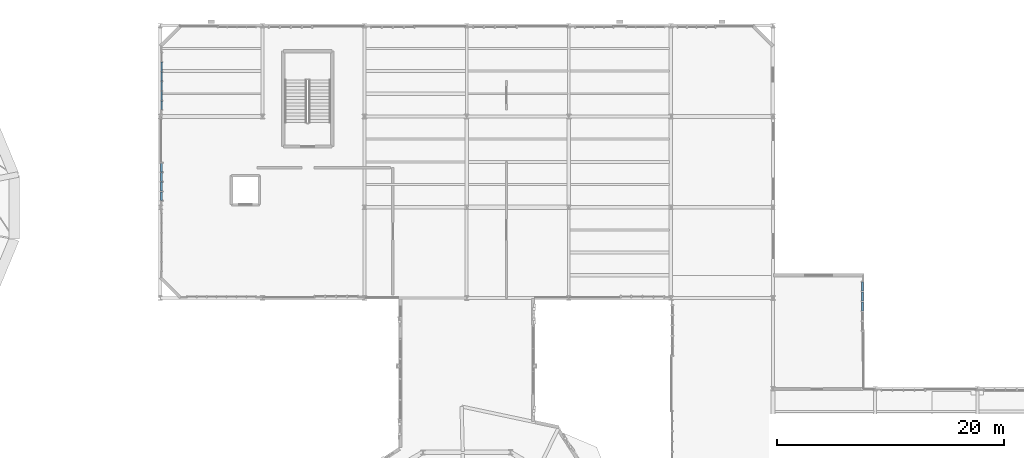
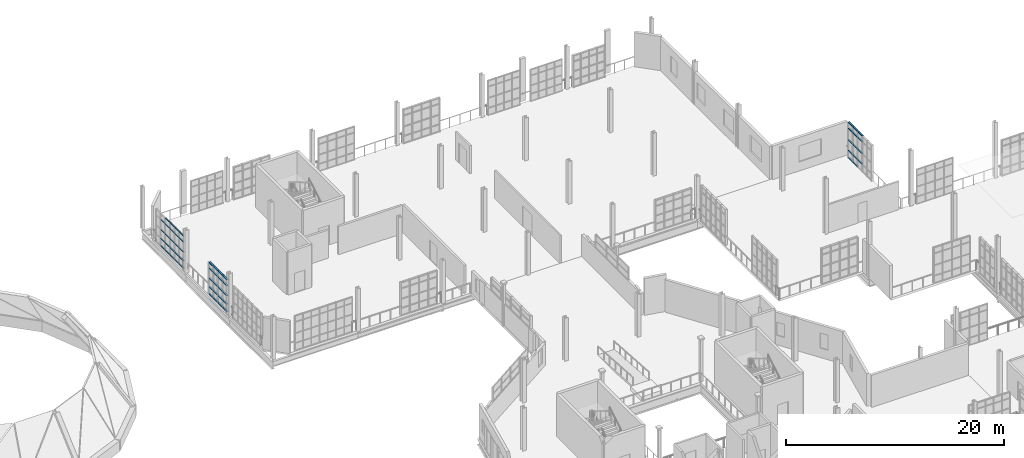
# One storey, part 83 of 118: 58 members, 3 elements without a shape of their own.
"""IFC4 building model written with IfcOpenShell, lengths in metres."""

from ifc_helpers import new_model, si_unit, direction, frame, origin, origin_2d, place, context, subcontext, project, spatial, hollow_rectangle, extrude, material, layer, layer_set, material_profile, profile_set, type_object, element, aggregate, save


model = new_model("IFC4")

# Units and contexts
model_context = context("Model", 3, precision=1e-05, world=origin(), true_north=direction((0.0, 1.0)))
body_context = subcontext(model_context, "Body", "Model", "MODEL_VIEW")
ifc_project = project(units=[si_unit("LENGTHUNIT", "METRE"), si_unit("AREAUNIT", "SQUARE_METRE"), si_unit("VOLUMEUNIT", "CUBIC_METRE"), si_unit("PLANEANGLEUNIT", "RADIAN"), si_unit("MASSUNIT", "GRAM", prefix="KILO"), si_unit("THERMODYNAMICTEMPERATUREUNIT", "KELVIN"), si_unit("POWERUNIT", "WATT")], contexts=[model_context])

# Site, building, storey
site_placement = place(None, origin())
site = spatial("IfcSite", under=ifc_project, at=site_placement, CompositionType="ELEMENT")
building_placement = place(site_placement, origin())
building = spatial("IfcBuilding", under=site, at=building_placement, Name="Zelmaris Science Centre", CompositionType="ELEMENT")
storey_placement = place(building_placement, frame((0.0, 0.0, 15.60009765625)))
storey = spatial("IfcBuildingStorey", under=building, at=storey_placement, Name="L03", CompositionType="ELEMENT", Elevation=15.60009765625)

# Curtain wall, members
ifc_material = material(Name="Anodised architectural aluminium 6063-T6", Category="aluminium")
ifc_layer_1 = layer(ifc_material, 0.2099609375, Name="Anodised architectural aluminium 6063-T6")
ifc_layer_set_1 = layer_set([ifc_layer_1], Name="Anodised architectural aluminium 6063-T6")
curtain_wall_type_1 = type_object("IfcCurtainWallType", Name="Curtain Wall CW-03", PredefinedType="USERDEFINED", material=ifc_layer_set_1)
curtain_wall_1_placement = place(storey_placement, origin())
curtain_wall_1 = element("IfcCurtainWall", 1, at=curtain_wall_1_placement, inside=storey, type_object=curtain_wall_type_1, Name="L03 Unitised curtain wall 279", ObjectType="GLAZED CURTAIN WALL", PredefinedType="USERDEFINED")
ifc_material_profile_1 = material_profile(ifc_material, hollow_rectangle(XDim=0.06494140625, YDim=0.1298828125, WallThickness=0.00341796875, at=origin_2d()), Name="ALU-TRN-65X130")
ifc_profile_set_1 = profile_set([ifc_material_profile_1], Name="Anodised architectural aluminium 6063-T6")
member_type_1 = type_object("IfcMemberType", Name="ALU-TRN-65X130", PredefinedType="USERDEFINED", material=ifc_profile_set_1)
member_1_placement = place(storey_placement, frame((54.1201171875, 80.596923828125, 0.013427734375), z_axis=(0.0, 1.0, 0.0), x_axis=(0.0, 0.0, 1.0)))
member_1 = element("IfcMember", 2, at=member_1_placement, type_object=member_type_1, Name="CW-03 transom 1.1", ObjectType="TRANSOM", PredefinedType="USERDEFINED", context=body_context, shape_type="SweptSolid", body=[
    extrude(hollow_rectangle(XDim=0.06494140625, YDim=0.1298828125, WallThickness=0.00341796875, at=origin_2d()), origin(), (0.0, 0.0, 1.0), 0.767822265625),
])
member_2_placement = place(storey_placement, frame((54.1201171875, 80.596923828125, 0.8349609375), z_axis=(0.0, 1.0, 0.0), x_axis=(0.0, 0.0, 1.0)))
member_2 = element("IfcMember", 3, at=member_2_placement, type_object=member_type_1, Name="CW-03 transom 1.2", ObjectType="TRANSOM", PredefinedType="USERDEFINED", context=body_context, shape_type="SweptSolid", body=[
    extrude(hollow_rectangle(XDim=0.06494140625, YDim=0.1298828125, WallThickness=0.00341796875, at=origin_2d()), origin(), (0.0, 0.0, 1.0), 0.767822265625),
])
member_3_placement = place(storey_placement, frame((54.1201171875, 80.596923828125, 1.8193359375), z_axis=(0.0, 1.0, 0.0), x_axis=(0.0, 0.0, 1.0)))
member_3 = element("IfcMember", 4, at=member_3_placement, type_object=member_type_1, Name="CW-03 transom 1.3", ObjectType="TRANSOM", PredefinedType="USERDEFINED", context=body_context, shape_type="SweptSolid", body=[
    extrude(hollow_rectangle(XDim=0.06494140625, YDim=0.1298828125, WallThickness=0.00341796875, at=origin_2d()), origin(), (0.0, 0.0, 1.0), 0.767822265625),
])
member_4_placement = place(storey_placement, frame((54.1201171875, 80.596923828125, 2.953857421875), z_axis=(0.0, 1.0, 0.0), x_axis=(0.0, 0.0, 1.0)))
member_4 = element("IfcMember", 5, at=member_4_placement, type_object=member_type_1, Name="CW-03 transom 1.4", ObjectType="TRANSOM", PredefinedType="USERDEFINED", context=body_context, shape_type="SweptSolid", body=[
    extrude(hollow_rectangle(XDim=0.06494140625, YDim=0.1298828125, WallThickness=0.00341796875, at=origin_2d()), origin(), (0.0, 0.0, 1.0), 0.767822265625),
])
member_5_placement = place(storey_placement, frame((54.1201171875, 80.596923828125, 3.62548828125), z_axis=(0.0, 1.0, 0.0), x_axis=(0.0, 0.0, 1.0)))
member_5 = element("IfcMember", 6, at=member_5_placement, type_object=member_type_1, Name="CW-03 transom 1.5", ObjectType="TRANSOM", PredefinedType="USERDEFINED", context=body_context, shape_type="SweptSolid", body=[
    extrude(hollow_rectangle(XDim=0.06494140625, YDim=0.1298828125, WallThickness=0.00341796875, at=origin_2d()), origin(), (0.0, 0.0, 1.0), 0.767822265625),
])
member_6_placement = place(storey_placement, frame((54.1201171875, 81.421875, 0.013427734375), z_axis=(0.0, 1.0, 0.0), x_axis=(0.0, 0.0, 1.0)))
member_6 = element("IfcMember", 7, at=member_6_placement, type_object=member_type_1, Name="CW-03 transom 2.1", ObjectType="TRANSOM", PredefinedType="USERDEFINED", context=body_context, shape_type="SweptSolid", body=[
    extrude(hollow_rectangle(XDim=0.06494140625, YDim=0.1298828125, WallThickness=0.00341796875, at=origin_2d()), origin(), (0.0, 0.0, 1.0), 0.79638671875),
])
member_7_placement = place(storey_placement, frame((54.1201171875, 81.421875, 0.8349609375), z_axis=(0.0, 1.0, 0.0), x_axis=(0.0, 0.0, 1.0)))
member_7 = element("IfcMember", 8, at=member_7_placement, type_object=member_type_1, Name="CW-03 transom 2.2", ObjectType="TRANSOM", PredefinedType="USERDEFINED", context=body_context, shape_type="SweptSolid", body=[
    extrude(hollow_rectangle(XDim=0.06494140625, YDim=0.1298828125, WallThickness=0.00341796875, at=origin_2d()), origin(), (0.0, 0.0, 1.0), 0.79638671875),
])
member_8_placement = place(storey_placement, frame((54.1201171875, 81.421875, 1.8193359375), z_axis=(0.0, 1.0, 0.0), x_axis=(0.0, 0.0, 1.0)))
member_8 = element("IfcMember", 9, at=member_8_placement, type_object=member_type_1, Name="CW-03 transom 2.3", ObjectType="TRANSOM", PredefinedType="USERDEFINED", context=body_context, shape_type="SweptSolid", body=[
    extrude(hollow_rectangle(XDim=0.06494140625, YDim=0.1298828125, WallThickness=0.00341796875, at=origin_2d()), origin(), (0.0, 0.0, 1.0), 0.79638671875),
])
member_9_placement = place(storey_placement, frame((54.1201171875, 81.421875, 2.953857421875), z_axis=(0.0, 1.0, 0.0), x_axis=(0.0, 0.0, 1.0)))
member_9 = element("IfcMember", 10, at=member_9_placement, type_object=member_type_1, Name="CW-03 transom 2.4", ObjectType="TRANSOM", PredefinedType="USERDEFINED", context=body_context, shape_type="SweptSolid", body=[
    extrude(hollow_rectangle(XDim=0.06494140625, YDim=0.1298828125, WallThickness=0.00341796875, at=origin_2d()), origin(), (0.0, 0.0, 1.0), 0.79638671875),
])
member_10_placement = place(storey_placement, frame((54.1201171875, 81.421875, 3.62548828125), z_axis=(0.0, 1.0, 0.0), x_axis=(0.0, 0.0, 1.0)))
member_10 = element("IfcMember", 11, at=member_10_placement, type_object=member_type_1, Name="CW-03 transom 2.5", ObjectType="TRANSOM", PredefinedType="USERDEFINED", context=body_context, shape_type="SweptSolid", body=[
    extrude(hollow_rectangle(XDim=0.06494140625, YDim=0.1298828125, WallThickness=0.00341796875, at=origin_2d()), origin(), (0.0, 0.0, 1.0), 0.79638671875),
])
member_11_placement = place(storey_placement, frame((54.1201171875, 82.275146484375, 0.013427734375), z_axis=(0.0, 1.0, 0.0), x_axis=(0.0, 0.0, 1.0)))
member_11 = element("IfcMember", 12, at=member_11_placement, type_object=member_type_1, Name="CW-03 transom 3.1", ObjectType="TRANSOM", PredefinedType="USERDEFINED", context=body_context, shape_type="SweptSolid", body=[
    extrude(hollow_rectangle(XDim=0.06494140625, YDim=0.1298828125, WallThickness=0.00341796875, at=origin_2d()), origin(), (0.0, 0.0, 1.0), 0.79638671875),
])
member_12_placement = place(storey_placement, frame((54.1201171875, 82.275146484375, 0.8349609375), z_axis=(0.0, 1.0, 0.0), x_axis=(0.0, 0.0, 1.0)))
member_12 = element("IfcMember", 13, at=member_12_placement, type_object=member_type_1, Name="CW-03 transom 3.2", ObjectType="TRANSOM", PredefinedType="USERDEFINED", context=body_context, shape_type="SweptSolid", body=[
    extrude(hollow_rectangle(XDim=0.06494140625, YDim=0.1298828125, WallThickness=0.00341796875, at=origin_2d()), origin(), (0.0, 0.0, 1.0), 0.79638671875),
])
member_13_placement = place(storey_placement, frame((54.1201171875, 82.275146484375, 1.8193359375), z_axis=(0.0, 1.0, 0.0), x_axis=(0.0, 0.0, 1.0)))
member_13 = element("IfcMember", 14, at=member_13_placement, type_object=member_type_1, Name="CW-03 transom 3.3", ObjectType="TRANSOM", PredefinedType="USERDEFINED", context=body_context, shape_type="SweptSolid", body=[
    extrude(hollow_rectangle(XDim=0.06494140625, YDim=0.1298828125, WallThickness=0.00341796875, at=origin_2d()), origin(), (0.0, 0.0, 1.0), 0.79638671875),
])
member_14_placement = place(storey_placement, frame((54.1201171875, 82.275146484375, 2.953857421875), z_axis=(0.0, 1.0, 0.0), x_axis=(0.0, 0.0, 1.0)))
member_14 = element("IfcMember", 15, at=member_14_placement, type_object=member_type_1, Name="CW-03 transom 3.4", ObjectType="TRANSOM", PredefinedType="USERDEFINED", context=body_context, shape_type="SweptSolid", body=[
    extrude(hollow_rectangle(XDim=0.06494140625, YDim=0.1298828125, WallThickness=0.00341796875, at=origin_2d()), origin(), (0.0, 0.0, 1.0), 0.79638671875),
])
member_15_placement = place(storey_placement, frame((54.1201171875, 82.275146484375, 3.62548828125), z_axis=(0.0, 1.0, 0.0), x_axis=(0.0, 0.0, 1.0)))
member_15 = element("IfcMember", 16, at=member_15_placement, type_object=member_type_1, Name="CW-03 transom 3.5", ObjectType="TRANSOM", PredefinedType="USERDEFINED", context=body_context, shape_type="SweptSolid", body=[
    extrude(hollow_rectangle(XDim=0.06494140625, YDim=0.1298828125, WallThickness=0.00341796875, at=origin_2d()), origin(), (0.0, 0.0, 1.0), 0.79638671875),
])
member_16_placement = place(storey_placement, frame((54.1201171875, 83.12841796875, 0.013427734375), z_axis=(0.0, 1.0, 0.0), x_axis=(0.0, 0.0, 1.0)))
member_16 = element("IfcMember", 17, at=member_16_placement, type_object=member_type_1, Name="CW-03 transom 4.1", ObjectType="TRANSOM", PredefinedType="USERDEFINED", context=body_context, shape_type="SweptSolid", body=[
    extrude(hollow_rectangle(XDim=0.06494140625, YDim=0.1298828125, WallThickness=0.00341796875, at=origin_2d()), origin(), (0.0, 0.0, 1.0), 0.79638671875),
])
member_17_placement = place(storey_placement, frame((54.1201171875, 83.12841796875, 0.8349609375), z_axis=(0.0, 1.0, 0.0), x_axis=(0.0, 0.0, 1.0)))
member_17 = element("IfcMember", 18, at=member_17_placement, type_object=member_type_1, Name="CW-03 transom 4.2", ObjectType="TRANSOM", PredefinedType="USERDEFINED", context=body_context, shape_type="SweptSolid", body=[
    extrude(hollow_rectangle(XDim=0.06494140625, YDim=0.1298828125, WallThickness=0.00341796875, at=origin_2d()), origin(), (0.0, 0.0, 1.0), 0.79638671875),
])
member_18_placement = place(storey_placement, frame((54.1201171875, 83.12841796875, 1.8193359375), z_axis=(0.0, 1.0, 0.0), x_axis=(0.0, 0.0, 1.0)))
member_18 = element("IfcMember", 19, at=member_18_placement, type_object=member_type_1, Name="CW-03 transom 4.3", ObjectType="TRANSOM", PredefinedType="USERDEFINED", context=body_context, shape_type="SweptSolid", body=[
    extrude(hollow_rectangle(XDim=0.06494140625, YDim=0.1298828125, WallThickness=0.00341796875, at=origin_2d()), origin(), (0.0, 0.0, 1.0), 0.79638671875),
])
member_19_placement = place(storey_placement, frame((54.1201171875, 83.12841796875, 2.953857421875), z_axis=(0.0, 1.0, 0.0), x_axis=(0.0, 0.0, 1.0)))
member_19 = element("IfcMember", 20, at=member_19_placement, type_object=member_type_1, Name="CW-03 transom 4.4", ObjectType="TRANSOM", PredefinedType="USERDEFINED", context=body_context, shape_type="SweptSolid", body=[
    extrude(hollow_rectangle(XDim=0.06494140625, YDim=0.1298828125, WallThickness=0.00341796875, at=origin_2d()), origin(), (0.0, 0.0, 1.0), 0.79638671875),
])
member_20_placement = place(storey_placement, frame((54.1201171875, 83.12841796875, 3.62548828125), z_axis=(0.0, 1.0, 0.0), x_axis=(0.0, 0.0, 1.0)))
member_20 = element("IfcMember", 21, at=member_20_placement, type_object=member_type_1, Name="CW-03 transom 4.5", ObjectType="TRANSOM", PredefinedType="USERDEFINED", context=body_context, shape_type="SweptSolid", body=[
    extrude(hollow_rectangle(XDim=0.06494140625, YDim=0.1298828125, WallThickness=0.00341796875, at=origin_2d()), origin(), (0.0, 0.0, 1.0), 0.79638671875),
])
member_21_placement = place(storey_placement, frame((54.1201171875, 83.98193359375, 0.013427734375), z_axis=(0.0, 1.0, 0.0), x_axis=(0.0, 0.0, 1.0)))
member_21 = element("IfcMember", 22, at=member_21_placement, type_object=member_type_1, Name="CW-03 transom 5.1", ObjectType="TRANSOM", PredefinedType="USERDEFINED", context=body_context, shape_type="SweptSolid", body=[
    extrude(hollow_rectangle(XDim=0.06494140625, YDim=0.1298828125, WallThickness=0.00341796875, at=origin_2d()), origin(), (0.0, 0.0, 1.0), 0.796142578125),
])
member_22_placement = place(storey_placement, frame((54.1201171875, 83.98193359375, 0.8349609375), z_axis=(0.0, 1.0, 0.0), x_axis=(0.0, 0.0, 1.0)))
member_22 = element("IfcMember", 23, at=member_22_placement, type_object=member_type_1, Name="CW-03 transom 5.2", ObjectType="TRANSOM", PredefinedType="USERDEFINED", context=body_context, shape_type="SweptSolid", body=[
    extrude(hollow_rectangle(XDim=0.06494140625, YDim=0.1298828125, WallThickness=0.00341796875, at=origin_2d()), origin(), (0.0, 0.0, 1.0), 0.796142578125),
])
member_23_placement = place(storey_placement, frame((54.1201171875, 83.98193359375, 1.8193359375), z_axis=(0.0, 1.0, 0.0), x_axis=(0.0, 0.0, 1.0)))
member_23 = element("IfcMember", 24, at=member_23_placement, type_object=member_type_1, Name="CW-03 transom 5.3", ObjectType="TRANSOM", PredefinedType="USERDEFINED", context=body_context, shape_type="SweptSolid", body=[
    extrude(hollow_rectangle(XDim=0.06494140625, YDim=0.1298828125, WallThickness=0.00341796875, at=origin_2d()), origin(), (0.0, 0.0, 1.0), 0.796142578125),
])
member_24_placement = place(storey_placement, frame((54.1201171875, 83.98193359375, 2.953857421875), z_axis=(0.0, 1.0, 0.0), x_axis=(0.0, 0.0, 1.0)))
member_24 = element("IfcMember", 25, at=member_24_placement, type_object=member_type_1, Name="CW-03 transom 5.4", ObjectType="TRANSOM", PredefinedType="USERDEFINED", context=body_context, shape_type="SweptSolid", body=[
    extrude(hollow_rectangle(XDim=0.06494140625, YDim=0.1298828125, WallThickness=0.00341796875, at=origin_2d()), origin(), (0.0, 0.0, 1.0), 0.796142578125),
])
aggregate(curtain_wall_1, [member_1, member_2, member_3, member_4, member_5, member_6, member_7, member_8, member_9, member_10, member_11, member_12, member_13, member_14, member_15, member_16, member_17, member_18, member_19, member_20, member_21, member_22, member_23, member_24])

ifc_layer_2 = layer(ifc_material, 0.199951171875, Name="Anodised architectural aluminium 6063-T6")
ifc_layer_set_2 = layer_set([ifc_layer_2], Name="Anodised architectural aluminium 6063-T6")
curtain_wall_type_2 = type_object("IfcCurtainWallType", Name="Curtain Wall CW-02", PredefinedType="USERDEFINED", material=ifc_layer_set_2)
curtain_wall_2_placement = place(storey_placement, origin())
curtain_wall_2 = element("IfcCurtainWall", 26, at=curtain_wall_2_placement, inside=storey, type_object=curtain_wall_type_2, Name="L03 Unitised curtain wall 290", ObjectType="GLAZED CURTAIN WALL", PredefinedType="USERDEFINED")
ifc_material_profile_2 = material_profile(ifc_material, hollow_rectangle(XDim=0.074951171875, YDim=0.159912109375, WallThickness=0.00390625, at=origin_2d()), Name="ALU-TRN-75X160")
ifc_profile_set_2 = profile_set([ifc_material_profile_2], Name="Anodised architectural aluminium 6063-T6")
member_type_2 = type_object("IfcMemberType", Name="ALU-TRN-75X160", PredefinedType="USERDEFINED", material=ifc_profile_set_2)
member_25_placement = place(storey_placement, frame((115.880859375, 65.392578125, 0.018310546875), z_axis=(0.001256675099, -0.999999210384, 0.0), x_axis=(0.0, 0.0, 1.0)))
member_25 = element("IfcMember", 27, at=member_25_placement, type_object=member_type_2, Name="CW-02 transom 1.1", ObjectType="TRANSOM", PredefinedType="USERDEFINED", context=body_context, shape_type="SweptSolid", body=[
    extrude(hollow_rectangle(XDim=0.074951171875, YDim=0.159912109375, WallThickness=0.00390625, at=origin_2d()), origin(), (0.0, 0.0, 1.0), 0.777099609375),
])
member_26_placement = place(storey_placement, frame((115.880859375, 65.392578125, 0.8349609375), z_axis=(0.001256675099, -0.999999210384, 0.0), x_axis=(0.0, 0.0, 1.0)))
member_26 = element("IfcMember", 28, at=member_26_placement, type_object=member_type_2, Name="CW-02 transom 1.2", ObjectType="TRANSOM", PredefinedType="USERDEFINED", context=body_context, shape_type="SweptSolid", body=[
    extrude(hollow_rectangle(XDim=0.074951171875, YDim=0.159912109375, WallThickness=0.00390625, at=origin_2d()), origin(), (0.0, 0.0, 1.0), 0.777099609375),
])
member_27_placement = place(storey_placement, frame((115.880859375, 65.392578125, 2.00732421875), z_axis=(0.001256675099, -0.999999210384, 0.0), x_axis=(0.0, 0.0, 1.0)))
member_27 = element("IfcMember", 29, at=member_27_placement, type_object=member_type_2, Name="CW-02 transom 1.3", ObjectType="TRANSOM", PredefinedType="USERDEFINED", context=body_context, shape_type="SweptSolid", body=[
    extrude(hollow_rectangle(XDim=0.074951171875, YDim=0.159912109375, WallThickness=0.00390625, at=origin_2d()), origin(), (0.0, 0.0, 1.0), 0.777099609375),
])
member_28_placement = place(storey_placement, frame((115.880859375, 65.392578125, 3.329833984375), z_axis=(0.001256675099, -0.999999210384, 0.0), x_axis=(0.0, 0.0, 1.0)))
member_28 = element("IfcMember", 30, at=member_28_placement, type_object=member_type_2, Name="CW-02 transom 1.4", ObjectType="TRANSOM", PredefinedType="USERDEFINED", context=body_context, shape_type="SweptSolid", body=[
    extrude(hollow_rectangle(XDim=0.074951171875, YDim=0.159912109375, WallThickness=0.00390625, at=origin_2d()), origin(), (0.0, 0.0, 1.0), 0.777099609375),
])
member_29_placement = place(storey_placement, frame((115.880859375, 65.392578125, 3.996337890625), z_axis=(0.001256675099, -0.999999210384, 0.0), x_axis=(0.0, 0.0, 1.0)))
member_29 = element("IfcMember", 31, at=member_29_placement, type_object=member_type_2, Name="CW-02 transom 1.5", ObjectType="TRANSOM", PredefinedType="USERDEFINED", context=body_context, shape_type="SweptSolid", body=[
    extrude(hollow_rectangle(XDim=0.074951171875, YDim=0.159912109375, WallThickness=0.00390625, at=origin_2d()), origin(), (0.0, 0.0, 1.0), 0.777099609375),
])
member_30_placement = place(storey_placement, frame((115.8818359375, 64.54833984375, 0.018310546875), z_axis=(0.001505568905, -0.99999886663, 0.0), x_axis=(0.0, 0.0, 1.0)))
member_30 = element("IfcMember", 32, at=member_30_placement, type_object=member_type_2, Name="CW-02 transom 2.1", ObjectType="TRANSOM", PredefinedType="USERDEFINED", context=body_context, shape_type="SweptSolid", body=[
    extrude(hollow_rectangle(XDim=0.074951171875, YDim=0.159912109375, WallThickness=0.00390625, at=origin_2d()), origin(), (0.0, 0.0, 1.0), 0.810791015625),
])
member_31_placement = place(storey_placement, frame((115.8818359375, 64.54833984375, 0.8349609375), z_axis=(0.001505568905, -0.99999886663, 0.0), x_axis=(0.0, 0.0, 1.0)))
member_31 = element("IfcMember", 33, at=member_31_placement, type_object=member_type_2, Name="CW-02 transom 2.2", ObjectType="TRANSOM", PredefinedType="USERDEFINED", context=body_context, shape_type="SweptSolid", body=[
    extrude(hollow_rectangle(XDim=0.074951171875, YDim=0.159912109375, WallThickness=0.00390625, at=origin_2d()), origin(), (0.0, 0.0, 1.0), 0.810791015625),
])
member_32_placement = place(storey_placement, frame((115.8818359375, 64.54833984375, 2.00732421875), z_axis=(0.001505568905, -0.99999886663, 0.0), x_axis=(0.0, 0.0, 1.0)))
member_32 = element("IfcMember", 34, at=member_32_placement, type_object=member_type_2, Name="CW-02 transom 2.3", ObjectType="TRANSOM", PredefinedType="USERDEFINED", context=body_context, shape_type="SweptSolid", body=[
    extrude(hollow_rectangle(XDim=0.074951171875, YDim=0.159912109375, WallThickness=0.00390625, at=origin_2d()), origin(), (0.0, 0.0, 1.0), 0.810791015625),
])
member_33_placement = place(storey_placement, frame((115.8818359375, 64.54833984375, 3.329833984375), z_axis=(0.001505568905, -0.99999886663, 0.0), x_axis=(0.0, 0.0, 1.0)))
member_33 = element("IfcMember", 35, at=member_33_placement, type_object=member_type_2, Name="CW-02 transom 2.4", ObjectType="TRANSOM", PredefinedType="USERDEFINED", context=body_context, shape_type="SweptSolid", body=[
    extrude(hollow_rectangle(XDim=0.074951171875, YDim=0.159912109375, WallThickness=0.00390625, at=origin_2d()), origin(), (0.0, 0.0, 1.0), 0.810791015625),
])
member_34_placement = place(storey_placement, frame((115.8818359375, 64.54833984375, 3.996337890625), z_axis=(0.001505568905, -0.99999886663, 0.0), x_axis=(0.0, 0.0, 1.0)))
member_34 = element("IfcMember", 36, at=member_34_placement, type_object=member_type_2, Name="CW-02 transom 2.5", ObjectType="TRANSOM", PredefinedType="USERDEFINED", context=body_context, shape_type="SweptSolid", body=[
    extrude(hollow_rectangle(XDim=0.074951171875, YDim=0.159912109375, WallThickness=0.00390625, at=origin_2d()), origin(), (0.0, 0.0, 1.0), 0.810791015625),
])
member_35_placement = place(storey_placement, frame((115.883056640625, 63.670654296875, 0.8349609375), z_axis=(0.001505568905, -0.99999886663, 0.0), x_axis=(0.0, 0.0, 1.0)))
member_35 = element("IfcMember", 37, at=member_35_placement, type_object=member_type_2, Name="CW-02 transom 3.2", ObjectType="TRANSOM", PredefinedType="USERDEFINED", context=body_context, shape_type="SweptSolid", body=[
    extrude(hollow_rectangle(XDim=0.074951171875, YDim=0.159912109375, WallThickness=0.00390625, at=origin_2d()), origin(), (0.0, 0.0, 1.0), 0.810791015625),
])
member_36_placement = place(storey_placement, frame((115.883056640625, 63.670654296875, 2.00732421875), z_axis=(0.001505568905, -0.99999886663, 0.0), x_axis=(0.0, 0.0, 1.0)))
member_36 = element("IfcMember", 38, at=member_36_placement, type_object=member_type_2, Name="CW-02 transom 3.3", ObjectType="TRANSOM", PredefinedType="USERDEFINED", context=body_context, shape_type="SweptSolid", body=[
    extrude(hollow_rectangle(XDim=0.074951171875, YDim=0.159912109375, WallThickness=0.00390625, at=origin_2d()), origin(), (0.0, 0.0, 1.0), 0.810791015625),
])
member_37_placement = place(storey_placement, frame((115.883056640625, 63.670654296875, 3.329833984375), z_axis=(0.001505568905, -0.99999886663, 0.0), x_axis=(0.0, 0.0, 1.0)))
member_37 = element("IfcMember", 39, at=member_37_placement, type_object=member_type_2, Name="CW-02 transom 3.4", ObjectType="TRANSOM", PredefinedType="USERDEFINED", context=body_context, shape_type="SweptSolid", body=[
    extrude(hollow_rectangle(XDim=0.074951171875, YDim=0.159912109375, WallThickness=0.00390625, at=origin_2d()), origin(), (0.0, 0.0, 1.0), 0.810791015625),
])
member_38_placement = place(storey_placement, frame((115.883056640625, 63.670654296875, 3.996337890625), z_axis=(0.001505568905, -0.99999886663, 0.0), x_axis=(0.0, 0.0, 1.0)))
member_38 = element("IfcMember", 40, at=member_38_placement, type_object=member_type_2, Name="CW-02 transom 3.5", ObjectType="TRANSOM", PredefinedType="USERDEFINED", context=body_context, shape_type="SweptSolid", body=[
    extrude(hollow_rectangle(XDim=0.074951171875, YDim=0.159912109375, WallThickness=0.00390625, at=origin_2d()), origin(), (0.0, 0.0, 1.0), 0.810791015625),
])
aggregate(curtain_wall_2, [member_25, member_26, member_27, member_28, member_29, member_30, member_31, member_32, member_33, member_34, member_35, member_36, member_37, member_38])

ifc_layer_3 = layer(ifc_material, 0.18994140625, Name="Anodised architectural aluminium 6063-T6")
ifc_layer_set_3 = layer_set([ifc_layer_3], Name="Anodised architectural aluminium 6063-T6")
curtain_wall_type_3 = type_object("IfcCurtainWallType", Name="Curtain Wall CW-01", PredefinedType="USERDEFINED", material=ifc_layer_set_3)
curtain_wall_3_placement = place(storey_placement, origin())
curtain_wall_3 = element("IfcCurtainWall", 41, at=curtain_wall_3_placement, inside=storey, type_object=curtain_wall_type_3, Name="L03 Unitised curtain wall 277", ObjectType="GLAZED CURTAIN WALL", PredefinedType="USERDEFINED")
ifc_material_profile_3 = material_profile(ifc_material, hollow_rectangle(XDim=0.080078125, YDim=0.18994140625, WallThickness=0.00439453125, at=origin_2d()), Name="ALU-TRN-80X190")
ifc_profile_set_3 = profile_set([ifc_material_profile_3], Name="Anodised architectural aluminium 6063-T6")
member_type_3 = type_object("IfcMemberType", Name="ALU-TRN-80X190", PredefinedType="USERDEFINED", material=ifc_profile_set_3)
member_39_placement = place(storey_placement, frame((54.1201171875, 72.612060546875, 0.02099609375), z_axis=(0.0, 1.0, 0.0), x_axis=(0.0, 0.0, 1.0)))
member_39 = element("IfcMember", 42, at=member_39_placement, type_object=member_type_3, Name="CW-01 transom 1.1", ObjectType="TRANSOM", PredefinedType="USERDEFINED", context=body_context, shape_type="SweptSolid", body=[
    extrude(hollow_rectangle(XDim=0.080078125, YDim=0.18994140625, WallThickness=0.00439453125, at=origin_2d()), origin(), (0.0, 0.0, 1.0), 0.741943359375),
])
member_40_placement = place(storey_placement, frame((54.1201171875, 72.612060546875, 0.8349609375), z_axis=(0.0, 1.0, 0.0), x_axis=(0.0, 0.0, 1.0)))
member_40 = element("IfcMember", 43, at=member_40_placement, type_object=member_type_3, Name="CW-01 transom 1.2", ObjectType="TRANSOM", PredefinedType="USERDEFINED", context=body_context, shape_type="SweptSolid", body=[
    extrude(hollow_rectangle(XDim=0.080078125, YDim=0.18994140625, WallThickness=0.00439453125, at=origin_2d()), origin(), (0.0, 0.0, 1.0), 0.741943359375),
])
member_41_placement = place(storey_placement, frame((54.1201171875, 72.612060546875, 1.7939453125), z_axis=(0.0, 1.0, 0.0), x_axis=(0.0, 0.0, 1.0)))
member_41 = element("IfcMember", 44, at=member_41_placement, type_object=member_type_3, Name="CW-01 transom 1.3", ObjectType="TRANSOM", PredefinedType="USERDEFINED", context=body_context, shape_type="SweptSolid", body=[
    extrude(hollow_rectangle(XDim=0.080078125, YDim=0.18994140625, WallThickness=0.00439453125, at=origin_2d()), origin(), (0.0, 0.0, 1.0), 0.741943359375),
])
member_42_placement = place(storey_placement, frame((54.1201171875, 72.612060546875, 2.90283203125), z_axis=(0.0, 1.0, 0.0), x_axis=(0.0, 0.0, 1.0)))
member_42 = element("IfcMember", 45, at=member_42_placement, type_object=member_type_3, Name="CW-01 transom 1.4", ObjectType="TRANSOM", PredefinedType="USERDEFINED", context=body_context, shape_type="SweptSolid", body=[
    extrude(hollow_rectangle(XDim=0.080078125, YDim=0.18994140625, WallThickness=0.00439453125, at=origin_2d()), origin(), (0.0, 0.0, 1.0), 0.741943359375),
])
member_43_placement = place(storey_placement, frame((54.1201171875, 72.612060546875, 3.56689453125), z_axis=(0.0, 1.0, 0.0), x_axis=(0.0, 0.0, 1.0)))
member_43 = element("IfcMember", 46, at=member_43_placement, type_object=member_type_3, Name="CW-01 transom 1.5", ObjectType="TRANSOM", PredefinedType="USERDEFINED", context=body_context, shape_type="SweptSolid", body=[
    extrude(hollow_rectangle(XDim=0.080078125, YDim=0.18994140625, WallThickness=0.00439453125, at=origin_2d()), origin(), (0.0, 0.0, 1.0), 0.741943359375),
])
member_44_placement = place(storey_placement, frame((54.1201171875, 73.426025390625, 0.02099609375), z_axis=(0.0, 1.0, 0.0), x_axis=(0.0, 0.0, 1.0)))
member_44 = element("IfcMember", 47, at=member_44_placement, type_object=member_type_3, Name="CW-01 transom 2.1", ObjectType="TRANSOM", PredefinedType="USERDEFINED", context=body_context, shape_type="SweptSolid", body=[
    extrude(hollow_rectangle(XDim=0.080078125, YDim=0.18994140625, WallThickness=0.00439453125, at=origin_2d()), origin(), (0.0, 0.0, 1.0), 0.778076171875),
])
member_45_placement = place(storey_placement, frame((54.1201171875, 73.426025390625, 0.8349609375), z_axis=(0.0, 1.0, 0.0), x_axis=(0.0, 0.0, 1.0)))
member_45 = element("IfcMember", 48, at=member_45_placement, type_object=member_type_3, Name="CW-01 transom 2.2", ObjectType="TRANSOM", PredefinedType="USERDEFINED", context=body_context, shape_type="SweptSolid", body=[
    extrude(hollow_rectangle(XDim=0.080078125, YDim=0.18994140625, WallThickness=0.00439453125, at=origin_2d()), origin(), (0.0, 0.0, 1.0), 0.778076171875),
])
member_46_placement = place(storey_placement, frame((54.1201171875, 73.426025390625, 1.7939453125), z_axis=(0.0, 1.0, 0.0), x_axis=(0.0, 0.0, 1.0)))
member_46 = element("IfcMember", 49, at=member_46_placement, type_object=member_type_3, Name="CW-01 transom 2.3", ObjectType="TRANSOM", PredefinedType="USERDEFINED", context=body_context, shape_type="SweptSolid", body=[
    extrude(hollow_rectangle(XDim=0.080078125, YDim=0.18994140625, WallThickness=0.00439453125, at=origin_2d()), origin(), (0.0, 0.0, 1.0), 0.778076171875),
])
member_47_placement = place(storey_placement, frame((54.1201171875, 73.426025390625, 2.90283203125), z_axis=(0.0, 1.0, 0.0), x_axis=(0.0, 0.0, 1.0)))
member_47 = element("IfcMember", 50, at=member_47_placement, type_object=member_type_3, Name="CW-01 transom 2.4", ObjectType="TRANSOM", PredefinedType="USERDEFINED", context=body_context, shape_type="SweptSolid", body=[
    extrude(hollow_rectangle(XDim=0.080078125, YDim=0.18994140625, WallThickness=0.00439453125, at=origin_2d()), origin(), (0.0, 0.0, 1.0), 0.778076171875),
])
member_48_placement = place(storey_placement, frame((54.1201171875, 73.426025390625, 3.56689453125), z_axis=(0.0, 1.0, 0.0), x_axis=(0.0, 0.0, 1.0)))
member_48 = element("IfcMember", 51, at=member_48_placement, type_object=member_type_3, Name="CW-01 transom 2.5", ObjectType="TRANSOM", PredefinedType="USERDEFINED", context=body_context, shape_type="SweptSolid", body=[
    extrude(hollow_rectangle(XDim=0.080078125, YDim=0.18994140625, WallThickness=0.00439453125, at=origin_2d()), origin(), (0.0, 0.0, 1.0), 0.778076171875),
])
member_49_placement = place(storey_placement, frame((54.1201171875, 74.27587890625, 0.02099609375), z_axis=(0.0, 1.0, 0.0), x_axis=(0.0, 0.0, 1.0)))
member_49 = element("IfcMember", 52, at=member_49_placement, type_object=member_type_3, Name="CW-01 transom 3.1", ObjectType="TRANSOM", PredefinedType="USERDEFINED", context=body_context, shape_type="SweptSolid", body=[
    extrude(hollow_rectangle(XDim=0.080078125, YDim=0.18994140625, WallThickness=0.00439453125, at=origin_2d()), origin(), (0.0, 0.0, 1.0), 0.778076171875),
])
member_50_placement = place(storey_placement, frame((54.1201171875, 74.27587890625, 0.8349609375), z_axis=(0.0, 1.0, 0.0), x_axis=(0.0, 0.0, 1.0)))
member_50 = element("IfcMember", 53, at=member_50_placement, type_object=member_type_3, Name="CW-01 transom 3.2", ObjectType="TRANSOM", PredefinedType="USERDEFINED", context=body_context, shape_type="SweptSolid", body=[
    extrude(hollow_rectangle(XDim=0.080078125, YDim=0.18994140625, WallThickness=0.00439453125, at=origin_2d()), origin(), (0.0, 0.0, 1.0), 0.778076171875),
])
member_51_placement = place(storey_placement, frame((54.1201171875, 74.27587890625, 1.7939453125), z_axis=(0.0, 1.0, 0.0), x_axis=(0.0, 0.0, 1.0)))
member_51 = element("IfcMember", 54, at=member_51_placement, type_object=member_type_3, Name="CW-01 transom 3.3", ObjectType="TRANSOM", PredefinedType="USERDEFINED", context=body_context, shape_type="SweptSolid", body=[
    extrude(hollow_rectangle(XDim=0.080078125, YDim=0.18994140625, WallThickness=0.00439453125, at=origin_2d()), origin(), (0.0, 0.0, 1.0), 0.778076171875),
])
member_52_placement = place(storey_placement, frame((54.1201171875, 74.27587890625, 2.90283203125), z_axis=(0.0, 1.0, 0.0), x_axis=(0.0, 0.0, 1.0)))
member_52 = element("IfcMember", 55, at=member_52_placement, type_object=member_type_3, Name="CW-01 transom 3.4", ObjectType="TRANSOM", PredefinedType="USERDEFINED", context=body_context, shape_type="SweptSolid", body=[
    extrude(hollow_rectangle(XDim=0.080078125, YDim=0.18994140625, WallThickness=0.00439453125, at=origin_2d()), origin(), (0.0, 0.0, 1.0), 0.778076171875),
])
member_53_placement = place(storey_placement, frame((54.1201171875, 74.27587890625, 3.56689453125), z_axis=(0.0, 1.0, 0.0), x_axis=(0.0, 0.0, 1.0)))
member_53 = element("IfcMember", 56, at=member_53_placement, type_object=member_type_3, Name="CW-01 transom 3.5", ObjectType="TRANSOM", PredefinedType="USERDEFINED", context=body_context, shape_type="SweptSolid", body=[
    extrude(hollow_rectangle(XDim=0.080078125, YDim=0.18994140625, WallThickness=0.00439453125, at=origin_2d()), origin(), (0.0, 0.0, 1.0), 0.778076171875),
])
member_54_placement = place(storey_placement, frame((54.1201171875, 75.1259765625, 0.02099609375), z_axis=(0.0, 1.0, 0.0), x_axis=(0.0, 0.0, 1.0)))
member_54 = element("IfcMember", 57, at=member_54_placement, type_object=member_type_3, Name="CW-01 transom 4.1", ObjectType="TRANSOM", PredefinedType="USERDEFINED", context=body_context, shape_type="SweptSolid", body=[
    extrude(hollow_rectangle(XDim=0.080078125, YDim=0.18994140625, WallThickness=0.00439453125, at=origin_2d()), origin(), (0.0, 0.0, 1.0), 0.741943359375),
])
member_55_placement = place(storey_placement, frame((54.1201171875, 75.1259765625, 0.8349609375), z_axis=(0.0, 1.0, 0.0), x_axis=(0.0, 0.0, 1.0)))
member_55 = element("IfcMember", 58, at=member_55_placement, type_object=member_type_3, Name="CW-01 transom 4.2", ObjectType="TRANSOM", PredefinedType="USERDEFINED", context=body_context, shape_type="SweptSolid", body=[
    extrude(hollow_rectangle(XDim=0.080078125, YDim=0.18994140625, WallThickness=0.00439453125, at=origin_2d()), origin(), (0.0, 0.0, 1.0), 0.741943359375),
])
member_56_placement = place(storey_placement, frame((54.1201171875, 75.1259765625, 1.7939453125), z_axis=(0.0, 1.0, 0.0), x_axis=(0.0, 0.0, 1.0)))
member_56 = element("IfcMember", 59, at=member_56_placement, type_object=member_type_3, Name="CW-01 transom 4.3", ObjectType="TRANSOM", PredefinedType="USERDEFINED", context=body_context, shape_type="SweptSolid", body=[
    extrude(hollow_rectangle(XDim=0.080078125, YDim=0.18994140625, WallThickness=0.00439453125, at=origin_2d()), origin(), (0.0, 0.0, 1.0), 0.741943359375),
])
member_57_placement = place(storey_placement, frame((54.1201171875, 75.1259765625, 2.90283203125), z_axis=(0.0, 1.0, 0.0), x_axis=(0.0, 0.0, 1.0)))
member_57 = element("IfcMember", 60, at=member_57_placement, type_object=member_type_3, Name="CW-01 transom 4.4", ObjectType="TRANSOM", PredefinedType="USERDEFINED", context=body_context, shape_type="SweptSolid", body=[
    extrude(hollow_rectangle(XDim=0.080078125, YDim=0.18994140625, WallThickness=0.00439453125, at=origin_2d()), origin(), (0.0, 0.0, 1.0), 0.741943359375),
])
member_58_placement = place(storey_placement, frame((54.1201171875, 75.1259765625, 3.56689453125), z_axis=(0.0, 1.0, 0.0), x_axis=(0.0, 0.0, 1.0)))
member_58 = element("IfcMember", 61, at=member_58_placement, type_object=member_type_3, Name="CW-01 transom 4.5", ObjectType="TRANSOM", PredefinedType="USERDEFINED", context=body_context, shape_type="SweptSolid", body=[
    extrude(hollow_rectangle(XDim=0.080078125, YDim=0.18994140625, WallThickness=0.00439453125, at=origin_2d()), origin(), (0.0, 0.0, 1.0), 0.741943359375),
])
aggregate(curtain_wall_3, [member_39, member_40, member_41, member_42, member_43, member_44, member_45, member_46, member_47, member_48, member_49, member_50, member_51, member_52, member_53, member_54, member_55, member_56, member_57, member_58])

save(model, "model.ifc")
